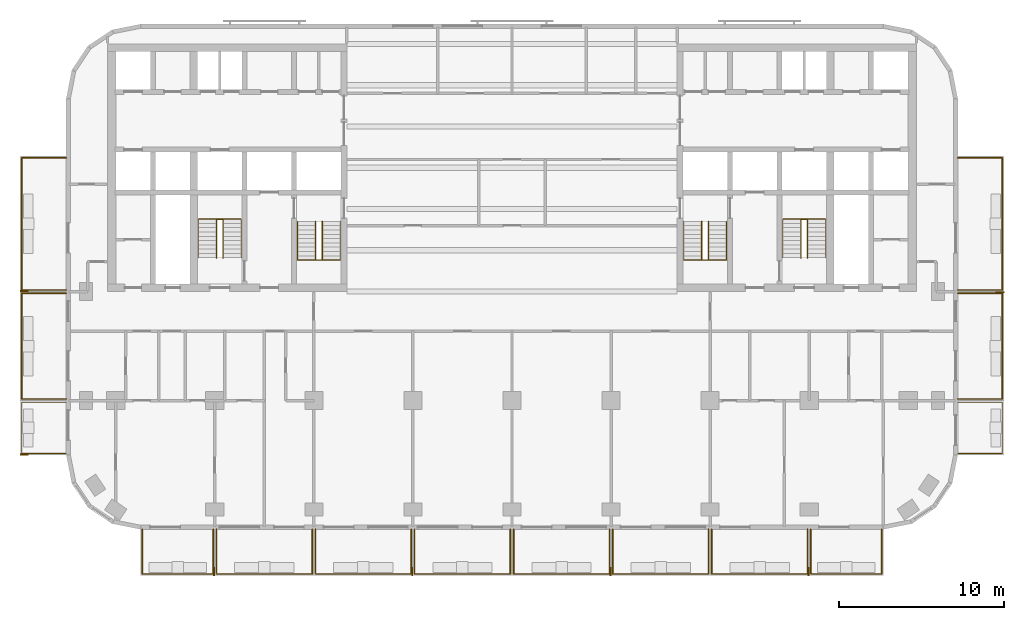
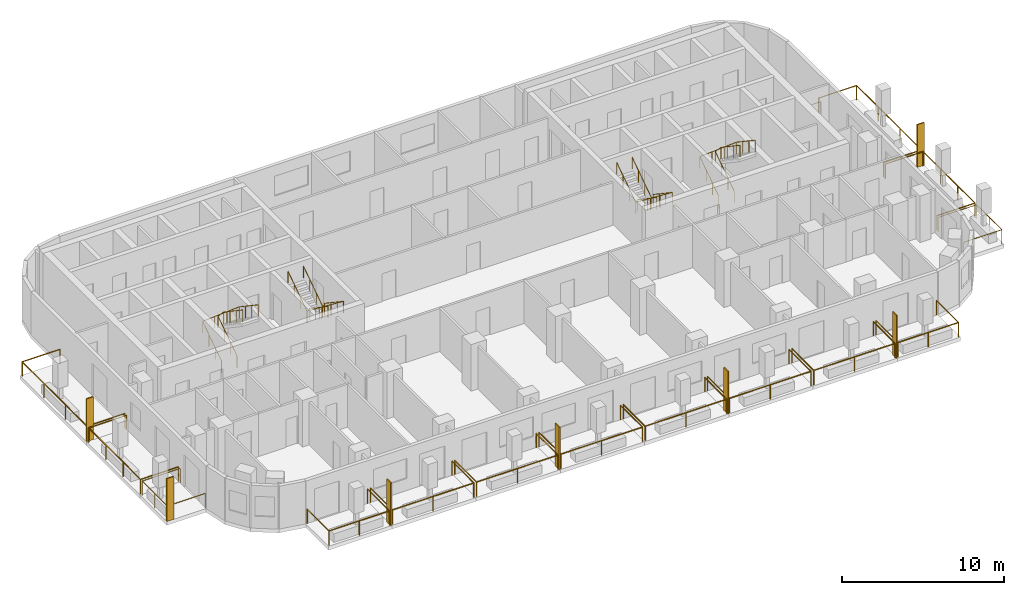
# One storey, part 9 of 11: 22 railings, 7 shading devices.
"""IFC4 building model written with IfcOpenShell, lengths in metres."""

from ifc_helpers import new_model, si_unit, direction, frame, origin, origin_2d, place, context, subcontext, project, spatial, rectangle, circle, extrude, material, layer, layer_set, type_object, element, save


model = new_model("IFC4")

# Units and contexts
model_context = context("Model", 3, precision=1e-05, world=origin(), true_north=direction((0.0, 1.0)))
body_context = subcontext(model_context, "Body", "Model", "MODEL_VIEW")
ifc_project = project(units=[si_unit("LENGTHUNIT", "METRE"), si_unit("AREAUNIT", "SQUARE_METRE"), si_unit("VOLUMEUNIT", "CUBIC_METRE"), si_unit("PLANEANGLEUNIT", "RADIAN"), si_unit("MASSUNIT", "GRAM", prefix="KILO")], contexts=[model_context])

# Site, building, storey
site_placement = place(None, origin())
site = spatial("IfcSite", under=ifc_project, at=site_placement, CompositionType="ELEMENT")
building_placement = place(site_placement, origin())
building = spatial("IfcBuilding", under=site, at=building_placement, Name="Torana Hotel and Residences", CompositionType="ELEMENT")
storey_placement = place(building_placement, frame((0.0, 0.0, 239.60009765625)))
storey = spatial("IfcBuildingStorey", under=building, at=storey_placement, Name="L63", CompositionType="ELEMENT", Elevation=239.60009765625)

# Shading devices
ifc_material_1 = material(Name="Black powder coated aluminium", Category="aluminium")
ifc_layer = layer(ifc_material_1, 0.080078125)
ifc_layer_set = layer_set([ifc_layer], Name="FN1 VERTICAL FIN 500x80")
shading_device_type = type_object("IfcShadingDeviceType", Name="FN1 VERTICAL FIN 500x80", PredefinedType="USERDEFINED", material=ifc_layer_set)
for number, where, z_axis, x_axis, name in (
    (1, (-18.0400390625, -31.949951171875, 0.0), (0.0, 0.0, 1.0), (-1.0, 0.0, 0.0), "Fin 01"),
    (2, (-6.0400390625, -31.949951171875, 0.0), (0.0, 0.0, 1.0), (-1.0, 0.0, 0.0), "Fin 03"),
    (3, (5.9599609375, -31.949951171875, 0.0), (0.0, 0.0, 1.0), (-1.0, 0.0, 0.0), "Fin 05"),
    (4, (17.9599609375, -31.949951171875, 0.0), (0.0, 0.0, 1.0), (-1.0, 0.0, 0.0), "Fin 07"),
    (5, (-29.550048828125, -24.860107421875, 0.0), (0.0, 0.0, 1.0), (0.0, 1.0, 0.0), "Fin 09"),
    (6, (-29.550048828125, -14.9599609375, 0.0), (0.0, 0.0, 1.0), (0.0, 1.0, 0.0), "Fin 11"),
    (7, (29.550048828125, -15.0400390625, 0.0), (0.0, 0.0, 1.0), (0.0, -1.0, 0.0), "Fin 13"),
):
    element("IfcShadingDevice", number, at=place(storey_placement, frame(where, z_axis=z_axis, x_axis=x_axis)), inside=storey, type_object=shading_device_type, Name=name, ObjectType="FIN", PredefinedType="USERDEFINED", context=body_context, shape_type="SweptSolid", body=[
        extrude(rectangle(XDim=0.080078125, YDim=0.5, at=origin_2d()), origin(), (0.0, 0.0, 1.0), 3.219970703125),
    ])

# Railings
ifc_material_2 = material(Name="Laminated glass balustrade with black handrail", Category="glass")
railing_type_1 = type_object("IfcRailingType", Name="GR1 BALCONY GUARD 1100 GLASS", PredefinedType="GUARDRAIL", material=ifc_material_2)
railing_1_placement = place(storey_placement, frame((-18.10009765625, -29.39990234375, 0.0)))
element("IfcRailing", 8, at=railing_1_placement, inside=storey, type_object=railing_type_1, Name="Balcony guard 01", PredefinedType="GUARDRAIL", context=body_context, shape_type="SweptSolid", body=[
    extrude(circle(Radius=0.02392578125, at=origin_2d()), frame((0.0, 0.0, 1.076171875), z_axis=(0.0, -1.0, 0.0), x_axis=(1.0, 0.0, 0.0)), (0.0, 0.0, 1.0), 2.7001953125),
    extrude(circle(Radius=0.02392578125, at=origin_2d()), frame((0.0, -2.7001953125, 1.076171875), z_axis=(-1.0, 0.0, 0.0), x_axis=(0.0, -1.0, 0.0)), (0.0, 0.0, 1.0), 4.2998046875),
    extrude(circle(Radius=0.02392578125, at=origin_2d()), frame((-4.2998046875, -2.7001953125, 1.076171875), z_axis=(0.0, 1.0, 0.0), x_axis=(-1.0, 0.0, 0.0)), (0.0, 0.0, 1.0), 2.7001953125),
    extrude(circle(Radius=0.02099609375, at=origin_2d()), origin(), (0.0, 0.0, 1.0), 1.052001953125),
    extrude(circle(Radius=0.02099609375, at=origin_2d()), frame((0.0, -2.7001953125, 0.0)), (0.0, 0.0, 1.0), 1.052001953125),
    extrude(circle(Radius=0.02099609375, at=origin_2d()), frame((-2.14990234375, -2.7001953125, 0.0)), (0.0, 0.0, 1.0), 1.052001953125),
    extrude(circle(Radius=0.02099609375, at=origin_2d()), frame((-4.2998046875, -2.7001953125, 0.0)), (0.0, 0.0, 1.0), 1.052001953125),
    extrude(circle(Radius=0.02099609375, at=origin_2d()), frame((-4.2998046875, 0.0, 0.0)), (0.0, 0.0, 1.0), 1.052001953125),
])
for number, where, name in (
    (9, (-12.10009765625, -29.39990234375, 0.0), "Balcony guard 02"),
    (10, (-6.10009765625, -29.39990234375, 0.0), "Balcony guard 03"),
    (11, (-0.10009765625, -29.39990234375, 0.0), "Balcony guard 04"),
    (12, (5.89990234375, -29.39990234375, 0.0), "Balcony guard 05"),
    (13, (11.89990234375, -29.39990234375, 0.0), "Balcony guard 06"),
    (14, (17.89990234375, -29.39990234375, 0.0), "Balcony guard 07"),
):
    element("IfcRailing", number, at=place(storey_placement, frame(where)), inside=storey, type_object=railing_type_1, Name=name, PredefinedType="GUARDRAIL", context=body_context, shape_type="SweptSolid", body=[
        extrude(circle(Radius=0.02392578125, at=origin_2d()), frame((0.0, 0.0, 1.076171875), z_axis=(0.0, -1.0, 0.0), x_axis=(1.0, 0.0, 0.0)), (0.0, 0.0, 1.0), 2.7001953125),
        extrude(circle(Radius=0.02392578125, at=origin_2d()), frame((0.0, -2.7001953125, 1.076171875), z_axis=(-1.0, 0.0, 0.0), x_axis=(0.0, -1.0, 0.0)), (0.0, 0.0, 1.0), 5.7998046875),
        extrude(circle(Radius=0.02392578125, at=origin_2d()), frame((-5.7998046875, -2.7001953125, 1.076171875), z_axis=(0.0, 1.0, 0.0), x_axis=(-1.0, 0.0, 0.0)), (0.0, 0.0, 1.0), 2.7001953125),
        extrude(circle(Radius=0.02099609375, at=origin_2d()), origin(), (0.0, 0.0, 1.0), 1.052001953125),
        extrude(circle(Radius=0.02099609375, at=origin_2d()), frame((0.0, -2.7001953125, 0.0)), (0.0, 0.0, 1.0), 1.052001953125),
        extrude(circle(Radius=0.02099609375, at=origin_2d()), frame((-2.89990234375, -2.7001953125, 0.0)), (0.0, 0.0, 1.0), 1.052001953125),
        extrude(circle(Radius=0.02099609375, at=origin_2d()), frame((-5.7998046875, -2.7001953125, 0.0)), (0.0, 0.0, 1.0), 1.052001953125),
        extrude(circle(Radius=0.02099609375, at=origin_2d()), frame((-5.7998046875, 0.0, 0.0)), (0.0, 0.0, 1.0), 1.052001953125),
    ])
railing_2_placement = place(storey_placement, frame((22.39990234375, -29.39990234375, 0.0)))
element("IfcRailing", 15, at=railing_2_placement, inside=storey, type_object=railing_type_1, Name="Balcony guard 08", PredefinedType="GUARDRAIL", context=body_context, shape_type="SweptSolid", body=[
    extrude(circle(Radius=0.02392578125, at=origin_2d()), frame((0.0, 0.0, 1.076171875), z_axis=(0.0, -1.0, 0.0), x_axis=(1.0, 0.0, 0.0)), (0.0, 0.0, 1.0), 2.7001953125),
    extrude(circle(Radius=0.02392578125, at=origin_2d()), frame((0.0, -2.7001953125, 1.076171875), z_axis=(-1.0, 0.0, 0.0), x_axis=(0.0, -1.0, 0.0)), (0.0, 0.0, 1.0), 4.2998046875),
    extrude(circle(Radius=0.02392578125, at=origin_2d()), frame((-4.2998046875, -2.7001953125, 1.076171875), z_axis=(0.0, 1.0, 0.0), x_axis=(-1.0, 0.0, 0.0)), (0.0, 0.0, 1.0), 2.7001953125),
    extrude(circle(Radius=0.02099609375, at=origin_2d()), origin(), (0.0, 0.0, 1.0), 1.052001953125),
    extrude(circle(Radius=0.02099609375, at=origin_2d()), frame((0.0, -2.7001953125, 0.0)), (0.0, 0.0, 1.0), 1.052001953125),
    extrude(circle(Radius=0.02099609375, at=origin_2d()), frame((-2.14990234375, -2.7001953125, 0.0)), (0.0, 0.0, 1.0), 1.052001953125),
    extrude(circle(Radius=0.02099609375, at=origin_2d()), frame((-4.2998046875, -2.7001953125, 0.0)), (0.0, 0.0, 1.0), 1.052001953125),
    extrude(circle(Radius=0.02099609375, at=origin_2d()), frame((-4.2998046875, 0.0, 0.0)), (0.0, 0.0, 1.0), 1.052001953125),
])
railing_3_placement = place(storey_placement, frame((-27.0, -24.800048828125, 0.0)))
element("IfcRailing", 16, at=railing_3_placement, inside=storey, type_object=railing_type_1, Name="Balcony guard 09", PredefinedType="GUARDRAIL", context=body_context, shape_type="SweptSolid", body=[
    extrude(circle(Radius=0.02392578125, at=origin_2d()), frame((0.0, 0.0, 1.076171875), z_axis=(-1.0, 0.0, 0.0), x_axis=(0.0, -1.0, 0.0)), (0.0, 0.0, 1.0), 2.699951171875),
    extrude(circle(Radius=0.02392578125, at=origin_2d()), frame((-2.699951171875, 0.0, 1.076171875), z_axis=(0.0, 1.0, 0.0), x_axis=(-1.0, 0.0, 0.0)), (0.0, 0.0, 1.0), 3.10009765625),
    extrude(circle(Radius=0.02392578125, at=origin_2d()), frame((-2.699951171875, 3.10009765625, 1.076171875), z_axis=(1.0, 0.0, 0.0), x_axis=(0.0, 1.0, 0.0)), (0.0, 0.0, 1.0), 2.699951171875),
    extrude(circle(Radius=0.02099609375, at=origin_2d()), origin(), (0.0, 0.0, 1.0), 1.052001953125),
    extrude(circle(Radius=0.02099609375, at=origin_2d()), frame((-2.699951171875, 0.0, 0.0)), (0.0, 0.0, 1.0), 1.052001953125),
    extrude(circle(Radius=0.02099609375, at=origin_2d()), frame((-2.699951171875, 1.550048828125, 0.0)), (0.0, 0.0, 1.0), 1.052001953125),
    extrude(circle(Radius=0.02099609375, at=origin_2d()), frame((-2.699951171875, 3.10009765625, 0.0)), (0.0, 0.0, 1.0), 1.052001953125),
    extrude(circle(Radius=0.02099609375, at=origin_2d()), frame((0.0, 3.10009765625, 0.0)), (0.0, 0.0, 1.0), 1.052001953125),
])
railing_4_placement = place(storey_placement, frame((-27.0, -21.5, 0.0)))
element("IfcRailing", 17, at=railing_4_placement, inside=storey, type_object=railing_type_1, Name="Balcony guard 10", PredefinedType="GUARDRAIL", context=body_context, shape_type="SweptSolid", body=[
    extrude(circle(Radius=0.02392578125, at=origin_2d()), frame((0.0, 0.0, 1.076171875), z_axis=(-1.0, 0.0, 0.0), x_axis=(0.0, -1.0, 0.0)), (0.0, 0.0, 1.0), 2.699951171875),
    extrude(circle(Radius=0.02392578125, at=origin_2d()), frame((-2.699951171875, 0.0, 1.076171875), z_axis=(0.0, 1.0, 0.0), x_axis=(-1.0, 0.0, 0.0)), (0.0, 0.0, 1.0), 6.39990234375),
    extrude(circle(Radius=0.02392578125, at=origin_2d()), frame((-2.699951171875, 6.39990234375, 1.076171875), z_axis=(1.0, 0.0, 0.0), x_axis=(0.0, 1.0, 0.0)), (0.0, 0.0, 1.0), 2.699951171875),
    extrude(circle(Radius=0.02099609375, at=origin_2d()), origin(), (0.0, 0.0, 1.0), 1.052001953125),
    extrude(circle(Radius=0.02099609375, at=origin_2d()), frame((-2.699951171875, 0.0, 0.0)), (0.0, 0.0, 1.0), 1.052001953125),
    extrude(circle(Radius=0.02099609375, at=origin_2d()), frame((-2.699951171875, 2.13330078125, 0.0)), (0.0, 0.0, 1.0), 1.052001953125),
    extrude(circle(Radius=0.02099609375, at=origin_2d()), frame((-2.699951171875, 4.2666015625, 0.0)), (0.0, 0.0, 1.0), 1.052001953125),
    extrude(circle(Radius=0.02099609375, at=origin_2d()), frame((-2.699951171875, 6.39990234375, 0.0)), (0.0, 0.0, 1.0), 1.052001953125),
    extrude(circle(Radius=0.02099609375, at=origin_2d()), frame((0.0, 6.39990234375, 0.0)), (0.0, 0.0, 1.0), 1.052001953125),
])
railing_5_placement = place(storey_placement, frame((-27.0, -14.89990234375, 0.0)))
element("IfcRailing", 18, at=railing_5_placement, inside=storey, type_object=railing_type_1, Name="Balcony guard 11", PredefinedType="GUARDRAIL", context=body_context, shape_type="SweptSolid", body=[
    extrude(circle(Radius=0.02392578125, at=origin_2d()), frame((0.0, 0.0, 1.076171875), z_axis=(-1.0, 0.0, 0.0), x_axis=(0.0, -1.0, 0.0)), (0.0, 0.0, 1.0), 2.699951171875),
    extrude(circle(Radius=0.02392578125, at=origin_2d()), frame((-2.699951171875, 0.0, 1.076171875), z_axis=(0.0, 1.0, 0.0), x_axis=(-1.0, 0.0, 0.0)), (0.0, 0.0, 1.0), 8.0),
    extrude(circle(Radius=0.02392578125, at=origin_2d()), frame((-2.699951171875, 8.0, 1.076171875), z_axis=(1.0, 0.0, 0.0), x_axis=(0.0, 1.0, 0.0)), (0.0, 0.0, 1.0), 2.699951171875),
    extrude(circle(Radius=0.02099609375, at=origin_2d()), origin(), (0.0, 0.0, 1.0), 1.052001953125),
    extrude(circle(Radius=0.02099609375, at=origin_2d()), frame((-2.699951171875, 0.0, 0.0)), (0.0, 0.0, 1.0), 1.052001953125),
    extrude(circle(Radius=0.02099609375, at=origin_2d()), frame((-2.699951171875, 2.666748046875, 0.0)), (0.0, 0.0, 1.0), 1.052001953125),
    extrude(circle(Radius=0.02099609375, at=origin_2d()), frame((-2.699951171875, 5.333251953125, 0.0)), (0.0, 0.0, 1.0), 1.052001953125),
    extrude(circle(Radius=0.02099609375, at=origin_2d()), frame((-2.699951171875, 8.0, 0.0)), (0.0, 0.0, 1.0), 1.052001953125),
    extrude(circle(Radius=0.02099609375, at=origin_2d()), frame((0.0, 8.0, 0.0)), (0.0, 0.0, 1.0), 1.052001953125),
])
railing_6_placement = place(storey_placement, frame((27.0, -21.699951171875, 0.0)))
element("IfcRailing", 19, at=railing_6_placement, inside=storey, type_object=railing_type_1, Name="Balcony guard 12", PredefinedType="GUARDRAIL", context=body_context, shape_type="SweptSolid", body=[
    extrude(circle(Radius=0.02392578125, at=origin_2d()), frame((0.0, 0.0, 1.076171875), z_axis=(1.0, 0.0, 0.0), x_axis=(0.0, 1.0, 0.0)), (0.0, 0.0, 1.0), 2.699951171875),
    extrude(circle(Radius=0.02392578125, at=origin_2d()), frame((2.699951171875, 0.0, 1.076171875), z_axis=(0.0, -1.0, 0.0), x_axis=(1.0, 0.0, 0.0)), (0.0, 0.0, 1.0), 3.10009765625),
    extrude(circle(Radius=0.02392578125, at=origin_2d()), frame((2.699951171875, -3.10009765625, 1.076171875), z_axis=(-1.0, 0.0, 0.0), x_axis=(0.0, -1.0, 0.0)), (0.0, 0.0, 1.0), 2.699951171875),
    extrude(circle(Radius=0.02099609375, at=origin_2d()), origin(), (0.0, 0.0, 1.0), 1.052001953125),
    extrude(circle(Radius=0.02099609375, at=origin_2d()), frame((2.699951171875, 0.0, 0.0)), (0.0, 0.0, 1.0), 1.052001953125),
    extrude(circle(Radius=0.02099609375, at=origin_2d()), frame((2.699951171875, -1.550048828125, 0.0)), (0.0, 0.0, 1.0), 1.052001953125),
    extrude(circle(Radius=0.02099609375, at=origin_2d()), frame((2.699951171875, -3.10009765625, 0.0)), (0.0, 0.0, 1.0), 1.052001953125),
    extrude(circle(Radius=0.02099609375, at=origin_2d()), frame((0.0, -3.10009765625, 0.0)), (0.0, 0.0, 1.0), 1.052001953125),
])
railing_7_placement = place(storey_placement, frame((27.0, -15.10009765625, 0.0)))
element("IfcRailing", 20, at=railing_7_placement, inside=storey, type_object=railing_type_1, Name="Balcony guard 13", PredefinedType="GUARDRAIL", context=body_context, shape_type="SweptSolid", body=[
    extrude(circle(Radius=0.02392578125, at=origin_2d()), frame((0.0, 0.0, 1.076171875), z_axis=(1.0, 0.0, 0.0), x_axis=(0.0, 1.0, 0.0)), (0.0, 0.0, 1.0), 2.699951171875),
    extrude(circle(Radius=0.02392578125, at=origin_2d()), frame((2.699951171875, 0.0, 1.076171875), z_axis=(0.0, -1.0, 0.0), x_axis=(1.0, 0.0, 0.0)), (0.0, 0.0, 1.0), 6.39990234375),
    extrude(circle(Radius=0.02392578125, at=origin_2d()), frame((2.699951171875, -6.39990234375, 1.076171875), z_axis=(-1.0, 0.0, 0.0), x_axis=(0.0, -1.0, 0.0)), (0.0, 0.0, 1.0), 2.699951171875),
    extrude(circle(Radius=0.02099609375, at=origin_2d()), origin(), (0.0, 0.0, 1.0), 1.052001953125),
    extrude(circle(Radius=0.02099609375, at=origin_2d()), frame((2.699951171875, 0.0, 0.0)), (0.0, 0.0, 1.0), 1.052001953125),
    extrude(circle(Radius=0.02099609375, at=origin_2d()), frame((2.699951171875, -2.13330078125, 0.0)), (0.0, 0.0, 1.0), 1.052001953125),
    extrude(circle(Radius=0.02099609375, at=origin_2d()), frame((2.699951171875, -4.2666015625, 0.0)), (0.0, 0.0, 1.0), 1.052001953125),
    extrude(circle(Radius=0.02099609375, at=origin_2d()), frame((2.699951171875, -6.39990234375, 0.0)), (0.0, 0.0, 1.0), 1.052001953125),
    extrude(circle(Radius=0.02099609375, at=origin_2d()), frame((0.0, -6.39990234375, 0.0)), (0.0, 0.0, 1.0), 1.052001953125),
])
railing_8_placement = place(storey_placement, frame((27.0, -6.89990234375, 0.0)))
element("IfcRailing", 21, at=railing_8_placement, inside=storey, type_object=railing_type_1, Name="Balcony guard 14", PredefinedType="GUARDRAIL", context=body_context, shape_type="SweptSolid", body=[
    extrude(circle(Radius=0.02392578125, at=origin_2d()), frame((0.0, 0.0, 1.076171875), z_axis=(1.0, 0.0, 0.0), x_axis=(0.0, 1.0, 0.0)), (0.0, 0.0, 1.0), 2.699951171875),
    extrude(circle(Radius=0.02392578125, at=origin_2d()), frame((2.699951171875, 0.0, 1.076171875), z_axis=(0.0, -1.0, 0.0), x_axis=(1.0, 0.0, 0.0)), (0.0, 0.0, 1.0), 8.0),
    extrude(circle(Radius=0.02392578125, at=origin_2d()), frame((2.699951171875, -8.0, 1.076171875), z_axis=(-1.0, 0.0, 0.0), x_axis=(0.0, -1.0, 0.0)), (0.0, 0.0, 1.0), 2.699951171875),
    extrude(circle(Radius=0.02099609375, at=origin_2d()), origin(), (0.0, 0.0, 1.0), 1.052001953125),
    extrude(circle(Radius=0.02099609375, at=origin_2d()), frame((2.699951171875, 0.0, 0.0)), (0.0, 0.0, 1.0), 1.052001953125),
    extrude(circle(Radius=0.02099609375, at=origin_2d()), frame((2.699951171875, -2.666748046875, 0.0)), (0.0, 0.0, 1.0), 1.052001953125),
    extrude(circle(Radius=0.02099609375, at=origin_2d()), frame((2.699951171875, -5.333251953125, 0.0)), (0.0, 0.0, 1.0), 1.052001953125),
    extrude(circle(Radius=0.02099609375, at=origin_2d()), frame((2.699951171875, -8.0, 0.0)), (0.0, 0.0, 1.0), 1.052001953125),
    extrude(circle(Radius=0.02099609375, at=origin_2d()), frame((0.0, -8.0, 0.0)), (0.0, 0.0, 1.0), 1.052001953125),
])
ifc_material_3 = material(Name="Stainless steel 316", Category="steel")
railing_type_2 = type_object("IfcRailingType", Name="STAIR HANDRAIL HR1 900", PredefinedType="HANDRAIL", material=ifc_material_3)
railing_9_placement = place(storey_placement, frame((-10.39990234375, -10.75, 0.1748046875)))
element("IfcRailing", 22, at=railing_9_placement, inside=storey, type_object=railing_type_2, Name="Handrail ST1 L63 O1", PredefinedType="HANDRAIL", context=body_context, shape_type="SweptSolid", body=[
    extrude(circle(Radius=0.02392578125, at=origin_2d()), frame((0.0, 0.0, 0.8759765625), z_axis=(0.0, -0.829565388462, 0.558409586474), x_axis=(1.0, 0.0, 0.0)), (0.0, 0.0, 1.0), 2.82080078125),
    extrude(circle(Radius=0.02392578125, at=origin_2d()), frame((0.0, -2.340087890625, 2.451171875), z_axis=(-0.997747692642, 0.0, 0.067078624219), x_axis=(0.0, -1.0, 0.0)), (0.0, 0.0, 1.0), 2.60595703125),
    extrude(circle(Radius=0.02392578125, at=origin_2d()), frame((-2.60009765625, -2.340087890625, 2.6259765625), z_axis=(0.0, 0.829565388462, 0.558409586474), x_axis=(-1.0, 0.0, 0.0)), (0.0, 0.0, 1.0), 2.82080078125),
    extrude(circle(Radius=0.02099609375, at=origin_2d()), origin(), (0.0, 0.0, 1.0), 0.851806640625),
    extrude(circle(Radius=0.02099609375, at=origin_2d()), frame((0.0, -0.780029296875, 0.525146484375)), (0.0, 0.0, 1.0), 0.851806640625),
    extrude(circle(Radius=0.02099609375, at=origin_2d()), frame((0.0, -1.56005859375, 1.050048828125)), (0.0, 0.0, 1.0), 0.851806640625),
    extrude(circle(Radius=0.02099609375, at=origin_2d()), frame((0.0, -2.340087890625, 1.5751953125)), (0.0, 0.0, 1.0), 0.851806640625),
    extrude(circle(Radius=0.02099609375, at=origin_2d()), frame((-0.86669921875, -2.340087890625, 1.633544921875)), (0.0, 0.0, 1.0), 0.851806640625),
    extrude(circle(Radius=0.02099609375, at=origin_2d()), frame((-1.7333984375, -2.340087890625, 1.691650390625)), (0.0, 0.0, 1.0), 0.851806640625),
    extrude(circle(Radius=0.02099609375, at=origin_2d()), frame((-2.60009765625, -2.340087890625, 1.75)), (0.0, 0.0, 1.0), 0.851806640625),
    extrude(circle(Radius=0.02099609375, at=origin_2d()), frame((-2.60009765625, -1.56005859375, 2.275146484375)), (0.0, 0.0, 1.0), 0.851806640625),
    extrude(circle(Radius=0.02099609375, at=origin_2d()), frame((-2.60009765625, -0.780029296875, 2.800048828125)), (0.0, 0.0, 1.0), 0.851806640625),
    extrude(circle(Radius=0.02099609375, at=origin_2d()), frame((-2.60009765625, 0.0, 3.3251953125)), (0.0, 0.0, 1.0), 0.851806640625),
])
railing_10_placement = place(storey_placement, frame((-11.5, -10.75, 0.1748046875)))
element("IfcRailing", 23, at=railing_10_placement, inside=storey, type_object=railing_type_2, Name="Handrail ST1 L63 I1", PredefinedType="HANDRAIL", context=body_context, shape_type="SweptSolid", body=[
    extrude(circle(Radius=0.02392578125, at=origin_2d()), frame((0.0, 0.0, 0.8759765625), z_axis=(0.0, -0.829565388462, 0.558409586474), x_axis=(1.0, 0.0, 0.0)), (0.0, 0.0, 1.0), 2.82080078125),
    extrude(circle(Radius=0.02392578125, at=origin_2d()), frame((0.0, -2.340087890625, 2.451171875), z_axis=(-0.916285673175, 0.0, 0.400525361412), x_axis=(0.0, -1.0, 0.0)), (0.0, 0.0, 1.0), 0.4365234375),
    extrude(circle(Radius=0.02392578125, at=origin_2d()), frame((-0.39990234375, -2.340087890625, 2.6259765625), z_axis=(0.0, 0.829565388462, 0.558409586474), x_axis=(-1.0, 0.0, 0.0)), (0.0, 0.0, 1.0), 2.82080078125),
    extrude(circle(Radius=0.02099609375, at=origin_2d()), origin(), (0.0, 0.0, 1.0), 0.851806640625),
    extrude(circle(Radius=0.02099609375, at=origin_2d()), frame((0.0, -0.780029296875, 0.525146484375)), (0.0, 0.0, 1.0), 0.851806640625),
    extrude(circle(Radius=0.02099609375, at=origin_2d()), frame((0.0, -1.56005859375, 1.050048828125)), (0.0, 0.0, 1.0), 0.851806640625),
    extrude(circle(Radius=0.02099609375, at=origin_2d()), frame((0.0, -2.340087890625, 1.5751953125)), (0.0, 0.0, 1.0), 0.851806640625),
    extrude(circle(Radius=0.02099609375, at=origin_2d()), frame((-0.39990234375, -2.340087890625, 1.75)), (0.0, 0.0, 1.0), 0.851806640625),
    extrude(circle(Radius=0.02099609375, at=origin_2d()), frame((-0.39990234375, -1.56005859375, 2.275146484375)), (0.0, 0.0, 1.0), 0.851806640625),
    extrude(circle(Radius=0.02099609375, at=origin_2d()), frame((-0.39990234375, -0.780029296875, 2.800048828125)), (0.0, 0.0, 1.0), 0.851806640625),
    extrude(circle(Radius=0.02099609375, at=origin_2d()), frame((-0.39990234375, 0.0, 3.3251953125)), (0.0, 0.0, 1.0), 0.851806640625),
])
railing_11_placement = place(storey_placement, frame((-19.0, -12.949951171875, 0.1748046875)))
element("IfcRailing", 24, at=railing_11_placement, inside=storey, type_object=railing_type_2, Name="Handrail ST2 L63 O1", PredefinedType="HANDRAIL", context=body_context, shape_type="SweptSolid", body=[
    extrude(circle(Radius=0.02392578125, at=origin_2d()), frame((0.0, 0.0, 0.8759765625), z_axis=(0.0, 0.829538397957, 0.558449681095), x_axis=(-1.0, 0.0, 0.0)), (0.0, 0.0, 1.0), 2.820556640625),
    extrude(circle(Radius=0.02392578125, at=origin_2d()), frame((0.0, 2.33984375, 2.451171875), z_axis=(0.997747692642, 0.0, 0.067078624219), x_axis=(0.0, 1.0, 0.0)), (0.0, 0.0, 1.0), 2.60595703125),
    extrude(circle(Radius=0.02392578125, at=origin_2d()), frame((2.60009765625, 2.33984375, 2.6259765625), z_axis=(0.0, -0.829538397957, 0.558449681095), x_axis=(1.0, 0.0, 0.0)), (0.0, 0.0, 1.0), 2.820556640625),
    extrude(circle(Radius=0.02099609375, at=origin_2d()), origin(), (0.0, 0.0, 1.0), 0.851806640625),
    extrude(circle(Radius=0.02099609375, at=origin_2d()), frame((0.0, 0.780029296875, 0.525146484375)), (0.0, 0.0, 1.0), 0.851806640625),
    extrude(circle(Radius=0.02099609375, at=origin_2d()), frame((0.0, 1.559814453125, 1.050048828125)), (0.0, 0.0, 1.0), 0.851806640625),
    extrude(circle(Radius=0.02099609375, at=origin_2d()), frame((0.0, 2.33984375, 1.5751953125)), (0.0, 0.0, 1.0), 0.851806640625),
    extrude(circle(Radius=0.02099609375, at=origin_2d()), frame((0.86669921875, 2.33984375, 1.633544921875)), (0.0, 0.0, 1.0), 0.851806640625),
    extrude(circle(Radius=0.02099609375, at=origin_2d()), frame((1.7333984375, 2.33984375, 1.691650390625)), (0.0, 0.0, 1.0), 0.851806640625),
    extrude(circle(Radius=0.02099609375, at=origin_2d()), frame((2.60009765625, 2.33984375, 1.75)), (0.0, 0.0, 1.0), 0.851806640625),
    extrude(circle(Radius=0.02099609375, at=origin_2d()), frame((2.60009765625, 1.559814453125, 2.275146484375)), (0.0, 0.0, 1.0), 0.851806640625),
    extrude(circle(Radius=0.02099609375, at=origin_2d()), frame((2.60009765625, 0.780029296875, 2.800048828125)), (0.0, 0.0, 1.0), 0.851806640625),
    extrude(circle(Radius=0.02099609375, at=origin_2d()), frame((2.60009765625, 0.0, 3.3251953125)), (0.0, 0.0, 1.0), 0.851806640625),
])
railing_12_placement = place(storey_placement, frame((-17.89990234375, -12.949951171875, 0.1748046875)))
element("IfcRailing", 25, at=railing_12_placement, inside=storey, type_object=railing_type_2, Name="Handrail ST2 L63 I1", PredefinedType="HANDRAIL", context=body_context, shape_type="SweptSolid", body=[
    extrude(circle(Radius=0.02392578125, at=origin_2d()), frame((0.0, 0.0, 0.8759765625), z_axis=(0.0, 0.829538397957, 0.558449681095), x_axis=(-1.0, 0.0, 0.0)), (0.0, 0.0, 1.0), 2.820556640625),
    extrude(circle(Radius=0.02392578125, at=origin_2d()), frame((0.0, 2.33984375, 2.451171875), z_axis=(0.916285673175, 0.0, 0.400525361412), x_axis=(0.0, 1.0, 0.0)), (0.0, 0.0, 1.0), 0.4365234375),
    extrude(circle(Radius=0.02392578125, at=origin_2d()), frame((0.39990234375, 2.33984375, 2.6259765625), z_axis=(0.0, -0.829538397957, 0.558449681095), x_axis=(1.0, 0.0, 0.0)), (0.0, 0.0, 1.0), 2.820556640625),
    extrude(circle(Radius=0.02099609375, at=origin_2d()), origin(), (0.0, 0.0, 1.0), 0.851806640625),
    extrude(circle(Radius=0.02099609375, at=origin_2d()), frame((0.0, 0.780029296875, 0.525146484375)), (0.0, 0.0, 1.0), 0.851806640625),
    extrude(circle(Radius=0.02099609375, at=origin_2d()), frame((0.0, 1.559814453125, 1.050048828125)), (0.0, 0.0, 1.0), 0.851806640625),
    extrude(circle(Radius=0.02099609375, at=origin_2d()), frame((0.0, 2.33984375, 1.5751953125)), (0.0, 0.0, 1.0), 0.851806640625),
    extrude(circle(Radius=0.02099609375, at=origin_2d()), frame((0.39990234375, 2.33984375, 1.75)), (0.0, 0.0, 1.0), 0.851806640625),
    extrude(circle(Radius=0.02099609375, at=origin_2d()), frame((0.39990234375, 1.559814453125, 2.275146484375)), (0.0, 0.0, 1.0), 0.851806640625),
    extrude(circle(Radius=0.02099609375, at=origin_2d()), frame((0.39990234375, 0.780029296875, 2.800048828125)), (0.0, 0.0, 1.0), 0.851806640625),
    extrude(circle(Radius=0.02099609375, at=origin_2d()), frame((0.39990234375, 0.0, 3.3251953125)), (0.0, 0.0, 1.0), 0.851806640625),
])
railing_13_placement = place(storey_placement, frame((13.0, -10.75, 0.1748046875)))
element("IfcRailing", 26, at=railing_13_placement, inside=storey, type_object=railing_type_2, Name="Handrail ST3 L63 O1", PredefinedType="HANDRAIL", context=body_context, shape_type="SweptSolid", body=[
    extrude(circle(Radius=0.02392578125, at=origin_2d()), frame((0.0, 0.0, 0.8759765625), z_axis=(0.0, -0.829565388462, 0.558409586474), x_axis=(1.0, 0.0, 0.0)), (0.0, 0.0, 1.0), 2.82080078125),
    extrude(circle(Radius=0.02392578125, at=origin_2d()), frame((0.0, -2.340087890625, 2.451171875), z_axis=(-0.997747692642, 0.0, 0.067078624219), x_axis=(0.0, -1.0, 0.0)), (0.0, 0.0, 1.0), 2.60595703125),
    extrude(circle(Radius=0.02392578125, at=origin_2d()), frame((-2.60009765625, -2.340087890625, 2.6259765625), z_axis=(0.0, 0.829565388462, 0.558409586474), x_axis=(-1.0, 0.0, 0.0)), (0.0, 0.0, 1.0), 2.82080078125),
    extrude(circle(Radius=0.02099609375, at=origin_2d()), origin(), (0.0, 0.0, 1.0), 0.851806640625),
    extrude(circle(Radius=0.02099609375, at=origin_2d()), frame((0.0, -0.780029296875, 0.525146484375)), (0.0, 0.0, 1.0), 0.851806640625),
    extrude(circle(Radius=0.02099609375, at=origin_2d()), frame((0.0, -1.56005859375, 1.050048828125)), (0.0, 0.0, 1.0), 0.851806640625),
    extrude(circle(Radius=0.02099609375, at=origin_2d()), frame((0.0, -2.340087890625, 1.5751953125)), (0.0, 0.0, 1.0), 0.851806640625),
    extrude(circle(Radius=0.02099609375, at=origin_2d()), frame((-0.86669921875, -2.340087890625, 1.633544921875)), (0.0, 0.0, 1.0), 0.851806640625),
    extrude(circle(Radius=0.02099609375, at=origin_2d()), frame((-1.7333984375, -2.340087890625, 1.691650390625)), (0.0, 0.0, 1.0), 0.851806640625),
    extrude(circle(Radius=0.02099609375, at=origin_2d()), frame((-2.60009765625, -2.340087890625, 1.75)), (0.0, 0.0, 1.0), 0.851806640625),
    extrude(circle(Radius=0.02099609375, at=origin_2d()), frame((-2.60009765625, -1.56005859375, 2.275146484375)), (0.0, 0.0, 1.0), 0.851806640625),
    extrude(circle(Radius=0.02099609375, at=origin_2d()), frame((-2.60009765625, -0.780029296875, 2.800048828125)), (0.0, 0.0, 1.0), 0.851806640625),
    extrude(circle(Radius=0.02099609375, at=origin_2d()), frame((-2.60009765625, 0.0, 3.3251953125)), (0.0, 0.0, 1.0), 0.851806640625),
])
railing_14_placement = place(storey_placement, frame((11.89990234375, -10.75, 0.1748046875)))
element("IfcRailing", 27, at=railing_14_placement, inside=storey, type_object=railing_type_2, Name="Handrail ST3 L63 I1", PredefinedType="HANDRAIL", context=body_context, shape_type="SweptSolid", body=[
    extrude(circle(Radius=0.02392578125, at=origin_2d()), frame((0.0, 0.0, 0.8759765625), z_axis=(0.0, -0.829565388462, 0.558409586474), x_axis=(1.0, 0.0, 0.0)), (0.0, 0.0, 1.0), 2.82080078125),
    extrude(circle(Radius=0.02392578125, at=origin_2d()), frame((0.0, -2.340087890625, 2.451171875), z_axis=(-0.916285673175, 0.0, 0.400525361412), x_axis=(0.0, -1.0, 0.0)), (0.0, 0.0, 1.0), 0.4365234375),
    extrude(circle(Radius=0.02392578125, at=origin_2d()), frame((-0.39990234375, -2.340087890625, 2.6259765625), z_axis=(0.0, 0.829565388462, 0.558409586474), x_axis=(-1.0, 0.0, 0.0)), (0.0, 0.0, 1.0), 2.82080078125),
    extrude(circle(Radius=0.02099609375, at=origin_2d()), origin(), (0.0, 0.0, 1.0), 0.851806640625),
    extrude(circle(Radius=0.02099609375, at=origin_2d()), frame((0.0, -0.780029296875, 0.525146484375)), (0.0, 0.0, 1.0), 0.851806640625),
    extrude(circle(Radius=0.02099609375, at=origin_2d()), frame((0.0, -1.56005859375, 1.050048828125)), (0.0, 0.0, 1.0), 0.851806640625),
    extrude(circle(Radius=0.02099609375, at=origin_2d()), frame((0.0, -2.340087890625, 1.5751953125)), (0.0, 0.0, 1.0), 0.851806640625),
    extrude(circle(Radius=0.02099609375, at=origin_2d()), frame((-0.39990234375, -2.340087890625, 1.75)), (0.0, 0.0, 1.0), 0.851806640625),
    extrude(circle(Radius=0.02099609375, at=origin_2d()), frame((-0.39990234375, -1.56005859375, 2.275146484375)), (0.0, 0.0, 1.0), 0.851806640625),
    extrude(circle(Radius=0.02099609375, at=origin_2d()), frame((-0.39990234375, -0.780029296875, 2.800048828125)), (0.0, 0.0, 1.0), 0.851806640625),
    extrude(circle(Radius=0.02099609375, at=origin_2d()), frame((-0.39990234375, 0.0, 3.3251953125)), (0.0, 0.0, 1.0), 0.851806640625),
])
railing_15_placement = place(storey_placement, frame((16.39990234375, -12.949951171875, 0.1748046875)))
element("IfcRailing", 28, at=railing_15_placement, inside=storey, type_object=railing_type_2, Name="Handrail ST4 L63 O1", PredefinedType="HANDRAIL", context=body_context, shape_type="SweptSolid", body=[
    extrude(circle(Radius=0.02392578125, at=origin_2d()), frame((0.0, 0.0, 0.8759765625), z_axis=(0.0, 0.829538397957, 0.558449681095), x_axis=(-1.0, 0.0, 0.0)), (0.0, 0.0, 1.0), 2.820556640625),
    extrude(circle(Radius=0.02392578125, at=origin_2d()), frame((0.0, 2.33984375, 2.451171875), z_axis=(0.997747692642, 0.0, 0.067078624219), x_axis=(0.0, 1.0, 0.0)), (0.0, 0.0, 1.0), 2.60595703125),
    extrude(circle(Radius=0.02392578125, at=origin_2d()), frame((2.60009765625, 2.33984375, 2.6259765625), z_axis=(0.0, -0.829538397957, 0.558449681095), x_axis=(1.0, 0.0, 0.0)), (0.0, 0.0, 1.0), 2.820556640625),
    extrude(circle(Radius=0.02099609375, at=origin_2d()), origin(), (0.0, 0.0, 1.0), 0.851806640625),
    extrude(circle(Radius=0.02099609375, at=origin_2d()), frame((0.0, 0.780029296875, 0.525146484375)), (0.0, 0.0, 1.0), 0.851806640625),
    extrude(circle(Radius=0.02099609375, at=origin_2d()), frame((0.0, 1.559814453125, 1.050048828125)), (0.0, 0.0, 1.0), 0.851806640625),
    extrude(circle(Radius=0.02099609375, at=origin_2d()), frame((0.0, 2.33984375, 1.5751953125)), (0.0, 0.0, 1.0), 0.851806640625),
    extrude(circle(Radius=0.02099609375, at=origin_2d()), frame((0.86669921875, 2.33984375, 1.633544921875)), (0.0, 0.0, 1.0), 0.851806640625),
    extrude(circle(Radius=0.02099609375, at=origin_2d()), frame((1.7333984375, 2.33984375, 1.691650390625)), (0.0, 0.0, 1.0), 0.851806640625),
    extrude(circle(Radius=0.02099609375, at=origin_2d()), frame((2.60009765625, 2.33984375, 1.75)), (0.0, 0.0, 1.0), 0.851806640625),
    extrude(circle(Radius=0.02099609375, at=origin_2d()), frame((2.60009765625, 1.559814453125, 2.275146484375)), (0.0, 0.0, 1.0), 0.851806640625),
    extrude(circle(Radius=0.02099609375, at=origin_2d()), frame((2.60009765625, 0.780029296875, 2.800048828125)), (0.0, 0.0, 1.0), 0.851806640625),
    extrude(circle(Radius=0.02099609375, at=origin_2d()), frame((2.60009765625, 0.0, 3.3251953125)), (0.0, 0.0, 1.0), 0.851806640625),
])
railing_16_placement = place(storey_placement, frame((17.5, -12.949951171875, 0.1748046875)))
element("IfcRailing", 29, at=railing_16_placement, inside=storey, type_object=railing_type_2, Name="Handrail ST4 L63 I1", PredefinedType="HANDRAIL", context=body_context, shape_type="SweptSolid", body=[
    extrude(circle(Radius=0.02392578125, at=origin_2d()), frame((0.0, 0.0, 0.8759765625), z_axis=(0.0, 0.829538397957, 0.558449681095), x_axis=(-1.0, 0.0, 0.0)), (0.0, 0.0, 1.0), 2.820556640625),
    extrude(circle(Radius=0.02392578125, at=origin_2d()), frame((0.0, 2.33984375, 2.451171875), z_axis=(0.916285673175, 0.0, 0.400525361412), x_axis=(0.0, 1.0, 0.0)), (0.0, 0.0, 1.0), 0.4365234375),
    extrude(circle(Radius=0.02392578125, at=origin_2d()), frame((0.39990234375, 2.33984375, 2.6259765625), z_axis=(0.0, -0.829538397957, 0.558449681095), x_axis=(1.0, 0.0, 0.0)), (0.0, 0.0, 1.0), 2.820556640625),
    extrude(circle(Radius=0.02099609375, at=origin_2d()), origin(), (0.0, 0.0, 1.0), 0.851806640625),
    extrude(circle(Radius=0.02099609375, at=origin_2d()), frame((0.0, 0.780029296875, 0.525146484375)), (0.0, 0.0, 1.0), 0.851806640625),
    extrude(circle(Radius=0.02099609375, at=origin_2d()), frame((0.0, 1.559814453125, 1.050048828125)), (0.0, 0.0, 1.0), 0.851806640625),
    extrude(circle(Radius=0.02099609375, at=origin_2d()), frame((0.0, 2.33984375, 1.5751953125)), (0.0, 0.0, 1.0), 0.851806640625),
    extrude(circle(Radius=0.02099609375, at=origin_2d()), frame((0.39990234375, 2.33984375, 1.75)), (0.0, 0.0, 1.0), 0.851806640625),
    extrude(circle(Radius=0.02099609375, at=origin_2d()), frame((0.39990234375, 1.559814453125, 2.275146484375)), (0.0, 0.0, 1.0), 0.851806640625),
    extrude(circle(Radius=0.02099609375, at=origin_2d()), frame((0.39990234375, 0.780029296875, 2.800048828125)), (0.0, 0.0, 1.0), 0.851806640625),
    extrude(circle(Radius=0.02099609375, at=origin_2d()), frame((0.39990234375, 0.0, 3.3251953125)), (0.0, 0.0, 1.0), 0.851806640625),
])

save(model, "model.ifc")
